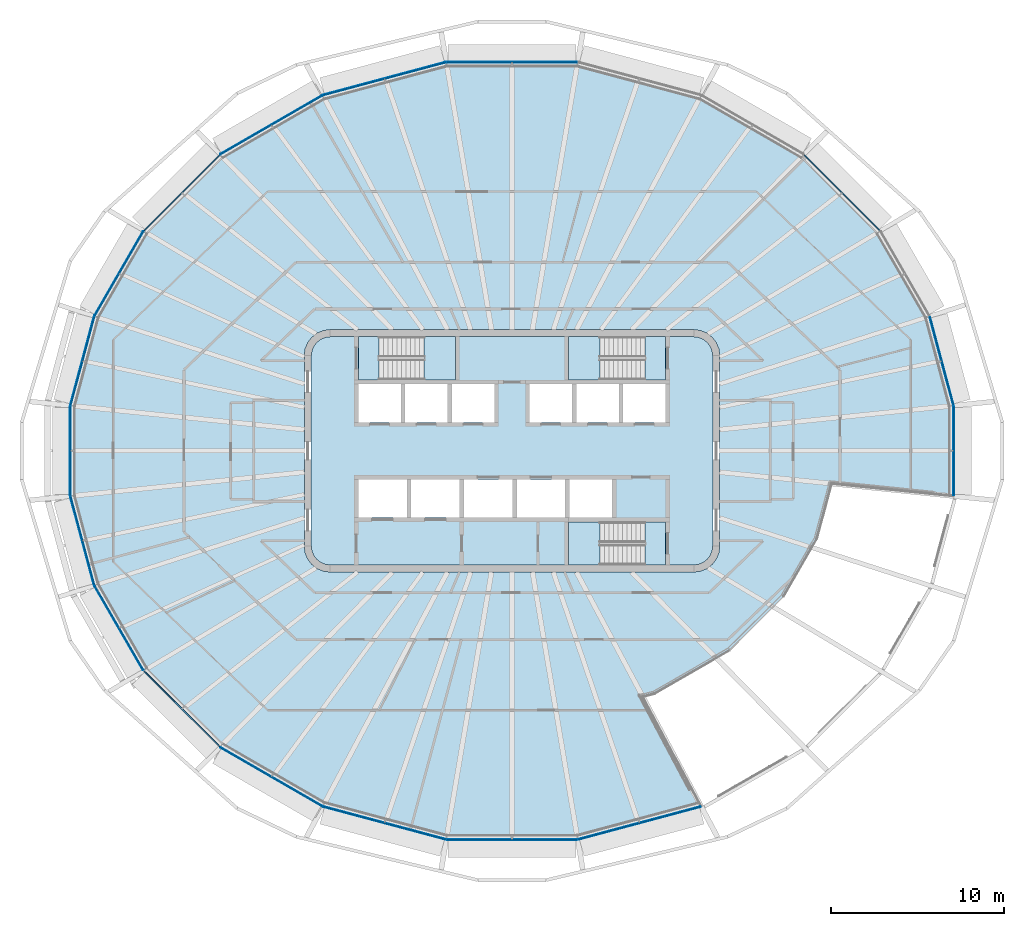
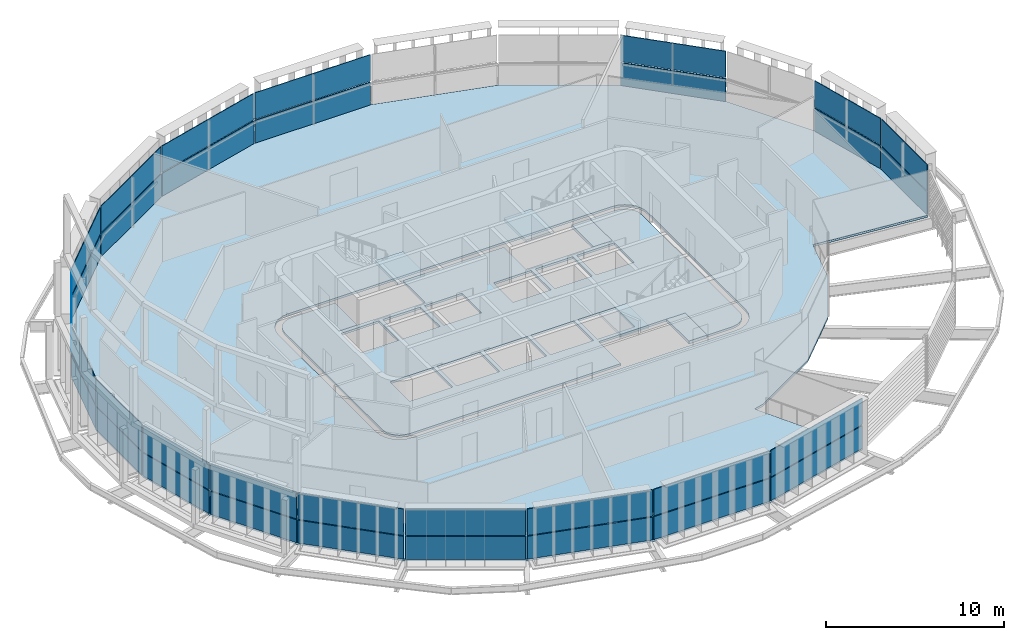
# One storey, part 7 of 18: 34 plates, 8 slabs, 20 elements without a shape of their own.
"""IFC4 building model written with IfcOpenShell, lengths in metres."""

import ifcopenshell
import ifcopenshell.guid

model = None  # the IFC model being written
_history = None  # IfcOwnerHistory: only IFC2X3 demands one
_inside = {}  # id of a spatial element -> (the spatial element, [elements in it])
_under = {}  # id of a project, library or spatial element -> (it, [spatial elements below it])
_declared = {}  # id of a project -> (the project, [libraries it declares])
_typed = {}  # id of a type object -> (the type object, [elements of that type])
_made_of = {}  # id of a material, layer set ... -> (it, [elements and type objects made of it])


def new_model(schema):
    """Start an empty IFC model of exactly this schema.

    Asked for "IFC4X3", IfcOpenShell would pick the latest addendum, in which some entities
    have other attributes; the version numbers below select the first issue.
    IFC2X3 requires an IfcOwnerHistory on every rooted entity: one is made here for all.
    """
    global model, _history
    if schema == "IFC4X3":
        model = ifcopenshell.file(schema_version=(4, 3, 0, 0))
    else:
        model = ifcopenshell.file(schema=schema)
    _inside.clear()
    _under.clear()
    _declared.clear()
    _typed.clear()
    _made_of.clear()
    _history = None
    if model.schema == "IFC2X3":
        org = make("IfcOrganization", Name="unknown")
        user = make(
            "IfcPersonAndOrganization",
            ThePerson=make("IfcPerson", FamilyName="unknown"),
            TheOrganization=org,
        )
        app = make(
            "IfcApplication",
            ApplicationDeveloper=org,
            Version="unknown",
            ApplicationFullName="unknown",
            ApplicationIdentifier="unknown",
        )
        _history = make(
            "IfcOwnerHistory",
            OwningUser=user,
            OwningApplication=app,
            ChangeAction="ADDED",
            CreationDate=0,
        )
    return model


def make(cls, **values):
    """One entity of the class cls with the attributes given. An attribute that is None is left unset."""
    return model.create_entity(
        cls, **{name: value for name, value in values.items() if value is not None}
    )


def rooted(cls, **values):
    """An entity with a GlobalId (a new one), such as an element, a storey or a relation."""
    return make(cls, GlobalId=ifcopenshell.guid.new(), OwnerHistory=_history, **values)


def si_unit(unit_type, name, prefix=None):
    """IfcSIUnit, for example si_unit("LENGTHUNIT", "METRE", prefix="MILLI")."""
    return make("IfcSIUnit", UnitType=unit_type, Prefix=prefix, Name=name)


def assignment(units):
    """IfcUnitAssignment: the units of a project."""
    return None if units is None else make("IfcUnitAssignment", Units=units)


def point(xyz):
    """IfcCartesianPoint."""
    return None if xyz is None else make("IfcCartesianPoint", Coordinates=xyz)


def direction(xyz):
    """IfcDirection."""
    return None if xyz is None else make("IfcDirection", DirectionRatios=xyz)


def frame(location, z_axis=None, x_axis=None):
    """IfcAxis2Placement3D, a coordinate frame: its origin and axes. An axis left out is left unset."""
    return make(
        "IfcAxis2Placement3D",
        Location=point(location),
        Axis=direction(z_axis),
        RefDirection=direction(x_axis),
    )


def origin():
    """The frame at (0, 0, 0) with its axes left unset."""
    return frame((0.0, 0.0, 0.0))


def place(relative_to, where):
    """IfcLocalPlacement: puts the frame where relative to a parent placement (None: the world)."""
    return make(
        "IfcLocalPlacement", PlacementRelTo=relative_to, RelativePlacement=where
    )


def context(
    kind, dimensions, precision=None, world=None, true_north=None, identifier=None
):
    """IfcGeometricRepresentationContext, for example the 3D "Model" context."""
    return make(
        "IfcGeometricRepresentationContext",
        ContextIdentifier=identifier,
        ContextType=kind,
        CoordinateSpaceDimension=dimensions,
        Precision=precision,
        WorldCoordinateSystem=world,
        TrueNorth=true_north,
    )


def subcontext(parent, identifier, kind, view, scale=None):
    """IfcGeometricRepresentationSubContext, for example "Body" below "Model"."""
    return make(
        "IfcGeometricRepresentationSubContext",
        ContextIdentifier=identifier,
        ContextType=kind,
        ParentContext=parent,
        TargetScale=scale,
        TargetView=view,
    )


def project(units=None, contexts=None):
    """IfcProject with its units and contexts."""
    return rooted(
        "IfcProject",
        Name="project",
        RepresentationContexts=contexts,
        UnitsInContext=assignment(units),
    )


def spatial(cls, under=None, at=None, **own):
    """A site, building, storey or space (cls), placed at a placement, below another one or the project."""
    s = rooted(cls, ObjectPlacement=at, **own)
    if under is not None:
        _under.setdefault(under.id(), (under, []))[1].append(s)
    return s


def polyline(points):
    """IfcPolyline through the points."""
    return make("IfcPolyline", Points=[point(p) for p in points])


def outline(outer, holes=None, kind="AREA"):
    """IfcArbitraryClosedProfileDef: a profile drawn as a closed curve; with holes, ...WithVoids."""
    if holes is None:
        return make("IfcArbitraryClosedProfileDef", ProfileType=kind, OuterCurve=outer)
    return make(
        "IfcArbitraryProfileDefWithVoids",
        ProfileType=kind,
        OuterCurve=outer,
        InnerCurves=holes,
    )


def extrude(swept, where, along, depth):
    """IfcExtrudedAreaSolid: the profile swept, set in the frame where, extruded along a direction by depth."""
    return make(
        "IfcExtrudedAreaSolid",
        SweptArea=swept,
        Position=where,
        ExtrudedDirection=direction(along),
        Depth=depth,
    )


def shape(context_of_items, identifier, shape_type, items):
    """IfcShapeRepresentation: the items that make up one representation, for example the "Body"."""
    return make(
        "IfcShapeRepresentation",
        ContextOfItems=context_of_items,
        RepresentationIdentifier=identifier,
        RepresentationType=shape_type,
        Items=items,
    )


def material(Name=None, Category=None):
    """IfcMaterial."""
    return make("IfcMaterial", Name=Name, Category=Category)


def layer(
    of_material, thickness, ventilated=None, Name=None, Category=None, Priority=None
):
    """IfcMaterialLayer: one layer of a wall or slab, of a material (None: an air gap)."""
    return make(
        "IfcMaterialLayer",
        Material=of_material,
        LayerThickness=thickness,
        IsVentilated=ventilated,
        Name=Name,
        Category=Category,
        Priority=Priority,
    )


def layer_set(layers, Name=None):
    """IfcMaterialLayerSet."""
    return make("IfcMaterialLayerSet", MaterialLayers=layers, LayerSetName=Name)


def made_of(thing, what):
    """Note that an element or type object is made of a material, layer set ...; save() writes the relation."""
    if what is not None:
        _made_of.setdefault(what.id(), (what, []))[1].append(thing)
    return thing


def type_object(cls, material=None, **own):
    """A type object (cls), such as IfcWallType, which elements share."""
    return made_of(rooted(cls, **own), material)


def element(
    cls,
    number,
    at=None,
    inside=None,
    cuts=None,
    type_object=None,
    material=None,
    context=None,
    identifier="Body",
    shape_type=None,
    held_by="IfcProductDefinitionShape",
    body=None,
    shapes=None,
    **own,
):
    """One element of the class cls, such as IfcWall. Its Tag is "e" and its number.

    at: its placement. inside: the storey or other place that contains it. cuts: it is an
    opening in that element (IfcRelVoidsElement). A single representation is given by context,
    identifier, shape_type and body (its items); several are given by shapes. held_by: the class
    of the entity that holds the representations. save() writes the other relations.
    """
    e = rooted(cls, Tag="e%d" % number, ObjectPlacement=at, **own)
    if body is not None:
        shapes = [shape(context, identifier, shape_type, body)]
    if shapes is not None:
        e.Representation = make(held_by, Representations=shapes)
    if inside is not None:
        _inside.setdefault(inside.id(), (inside, []))[1].append(e)
    if cuts is not None:
        rooted(
            "IfcRelVoidsElement", RelatingBuildingElement=cuts, RelatedOpeningElement=e
        )
    if type_object is not None:
        _typed.setdefault(type_object.id(), (type_object, []))[1].append(e)
    return made_of(e, material)


def aggregate(whole, parts):
    """IfcRelAggregates: a whole, such as a stair, and the parts it consists of."""
    return rooted("IfcRelAggregates", RelatingObject=whole, RelatedObjects=parts)


def save(model, path):
    """Write the relations noted so far, then the file.

    IfcRelAggregates (storeys below a building ...), IfcRelContainedInSpatialStructure (elements
    in a storey), IfcRelDefinesByType, IfcRelAssociatesMaterial and IfcRelDeclares: one each for
    every whole, place, type object, material and project.
    """
    for whole, parts in _under.values():
        aggregate(whole, parts)
    for where, things in _inside.values():
        rooted(
            "IfcRelContainedInSpatialStructure",
            RelatedElements=things,
            RelatingStructure=where,
        )
    for kind, things in _typed.values():
        rooted("IfcRelDefinesByType", RelatedObjects=things, RelatingType=kind)
    for what, things in _made_of.values():
        rooted("IfcRelAssociatesMaterial", RelatedObjects=things, RelatingMaterial=what)
    for by, libraries in _declared.values():
        rooted("IfcRelDeclares", RelatingContext=by, RelatedDefinitions=libraries)
    model.write(path)


model = new_model("IFC4")

# Units and contexts
model_context = context("Model", 3, precision=1e-05, world=origin(), true_north=direction((0.0, 1.0)))
body_context = subcontext(model_context, "Body", "Model", "MODEL_VIEW")
ifc_project = project(units=[si_unit("LENGTHUNIT", "METRE"), si_unit("AREAUNIT", "SQUARE_METRE"), si_unit("VOLUMEUNIT", "CUBIC_METRE"), si_unit("PLANEANGLEUNIT", "RADIAN"), si_unit("MASSUNIT", "GRAM", prefix="KILO")], contexts=[model_context])

# Site, building, storey
site_placement = place(None, origin())
site = spatial("IfcSite", under=ifc_project, at=site_placement, CompositionType="ELEMENT")
building_placement = place(site_placement, origin())
building = spatial("IfcBuilding", under=site, at=building_placement, Name="Sahrelin Media Tower", CompositionType="ELEMENT")
storey_placement = place(building_placement, frame((0.0, 0.0, 312.39990234375)))
storey = spatial("IfcBuildingStorey", under=building, at=storey_placement, Name="L69", CompositionType="ELEMENT", Elevation=312.39990234375)

# Slabs
ifc_material_1 = material(Name="Concrete C40/50", Category="concrete")
ifc_layer_1 = layer(ifc_material_1, 0.14990234375)
ifc_layer_set_1 = layer_set([ifc_layer_1], Name="Composite floor slab 150")
slab_type_1 = type_object("IfcSlabType", Name="Composite floor slab 150", PredefinedType="FLOOR", material=ifc_layer_set_1)
placement_1 = place(storey_placement, frame((0.0, 0.0, -0.14990234375)))
element("IfcSlab", 1, at=placement_1, inside=storey, type_object=slab_type_1, Name="Floor slab L69", PredefinedType="FLOOR", context=body_context, shape_type="SweptSolid", body=[
    extrude(outline(polyline([(25.49658203125, -2.611083984375), (25.49658203125, -2.610595703125), (25.49658203125, 2.610595703125), (24.114501953125, 7.769287109375), (21.269287109375, 12.697265625), (16.863525390625, 17.10302734375), (10.925048828125, 20.531494140625), (3.794921875, 22.442138671875), (-3.794921875, 22.442138671875), (-10.925048828125, 20.531494140625), (-16.863525390625, 17.10302734375), (-21.269287109375, 12.697265625), (-24.114501953125, 7.769287109375), (-25.49658203125, 2.610595703125), (-25.49658203125, -2.610595703125), (-24.114501953125, -7.769287109375), (-21.269287109375, -12.697265625), (-16.863525390625, -17.10302734375), (-10.925048828125, -20.531494140625), (-3.794921875, -22.442138671875), (3.794921875, -22.442138671875), (10.923095703125, -20.531982421875), (7.558349609375, -14.20751953125), (8.23095703125, -14.027099609375), (12.577880859375, -11.517578125), (15.683837890625, -8.411376953125), (17.610107421875, -5.0751953125), (18.46337890625, -1.890869140625), (25.49658203125, -2.611083984375)]), holes=[polyline([(11.799072265625, 6.25), (11.948974609375, 5.88818359375), (12.0, 5.5), (12.0, -5.5), (11.948974609375, -5.88818359375), (11.799072265625, -6.25), (11.560791015625, -6.560791015625), (11.25, -6.799072265625), (10.88818359375, -6.948974609375), (10.5, -7.0), (-10.5, -7.0), (-10.88818359375, -6.948974609375), (-11.25, -6.799072265625), (-11.560791015625, -6.560791015625), (-11.799072265625, -6.25), (-11.948974609375, -5.88818359375), (-12.0, -5.5), (-12.0, 5.5), (-11.948974609375, 5.88818359375), (-11.799072265625, 6.25), (-11.560791015625, 6.560791015625), (-11.25, 6.799072265625), (-10.88818359375, 6.948974609375), (-10.5, 7.0), (10.5, 7.0), (10.88818359375, 6.948974609375), (11.25, 6.799072265625), (11.560791015625, 6.560791015625), (11.799072265625, 6.25)])]), origin(), (0.0, 0.0, 1.0), 0.14990234375),
])
ifc_layer_2 = layer(ifc_material_1, 0.14990234375)
ifc_layer_set_2 = layer_set([ifc_layer_2], Name="Core floor slab 150")
slab_type_2 = type_object("IfcSlabType", Name="Core floor slab 150", PredefinedType="FLOOR", material=ifc_layer_set_2)
element("IfcSlab", 2, at=placement_1, inside=storey, type_object=slab_type_2, Name="Core floor", PredefinedType="FLOOR", context=body_context, shape_type="SweptSolid", body=[
    extrude(outline(polyline([(-11.60009765625, -5.473876953125), (-11.55908203125, -5.78369140625), (-11.44970703125, -6.04833984375), (-11.275390625, -6.275390625), (-11.04833984375, -6.44970703125), (-10.78369140625, -6.55908203125), (-10.473876953125, -6.60009765625), (3.27490234375, -6.60009765625), (3.27490234375, -4.10009765625), (8.875, -4.10009765625), (8.875, -6.60009765625), (10.473876953125, -6.60009765625), (10.78369140625, -6.55908203125), (11.04833984375, -6.44970703125), (11.275390625, -6.275390625), (11.44970703125, -6.04833984375), (11.55908203125, -5.78369140625), (11.60009765625, -5.473876953125), (11.60009765625, 5.473876953125), (11.55908203125, 5.78369140625), (11.44970703125, 6.04833984375), (11.275390625, 6.275390625), (11.04833984375, 6.44970703125), (10.78369140625, 6.55908203125), (10.473876953125, 6.60009765625), (8.875, 6.60009765625), (8.875, 4.10009765625), (3.27490234375, 4.10009765625), (3.27490234375, 6.60009765625), (-3.27490234375, 6.60009765625), (-3.27490234375, 4.10009765625), (-8.875, 4.10009765625), (-8.875, 6.60009765625), (-10.473876953125, 6.60009765625), (-10.78369140625, 6.55908203125), (-11.04833984375, 6.44970703125), (-11.275390625, 6.275390625), (-11.44970703125, 6.04833984375), (-11.55908203125, 5.78369140625), (-11.60009765625, 5.473876953125), (-11.60009765625, -5.473876953125)]), holes=[polyline([(-8.875, 3.85009765625), (-8.875, 1.64990234375), (-6.425048828125, 1.64990234375), (-6.425048828125, 3.85009765625), (-8.875, 3.85009765625)]), polyline([(-3.72509765625, 3.85009765625), (-6.175048828125, 3.85009765625), (-6.175048828125, 1.64990234375), (-3.72509765625, 1.64990234375), (-3.72509765625, 3.85009765625)]), polyline([(-1.02490234375, 1.64990234375), (-1.02490234375, 3.85009765625), (-3.47509765625, 3.85009765625), (-3.47509765625, 1.64990234375), (-1.02490234375, 1.64990234375)]), polyline([(1.02490234375, 1.64990234375), (3.47509765625, 1.64990234375), (3.47509765625, 3.85009765625), (1.02490234375, 3.85009765625), (1.02490234375, 1.64990234375)]), polyline([(3.72509765625, 3.85009765625), (3.72509765625, 1.64990234375), (6.175048828125, 1.64990234375), (6.175048828125, 3.85009765625), (3.72509765625, 3.85009765625)]), polyline([(8.875, 3.85009765625), (6.425048828125, 3.85009765625), (6.425048828125, 1.64990234375), (8.875, 1.64990234375), (8.875, 3.85009765625)]), polyline([(-6.074951171875, -3.85009765625), (-6.074951171875, -1.64990234375), (-8.875, -1.64990234375), (-8.875, -3.85009765625), (-6.074951171875, -3.85009765625)]), polyline([(-5.824951171875, -3.85009765625), (-3.02490234375, -3.85009765625), (-3.02490234375, -1.64990234375), (-5.824951171875, -1.64990234375), (-5.824951171875, -3.85009765625)]), polyline([(-2.77490234375, -1.64990234375), (-2.77490234375, -3.85009765625), (0.02490234375, -3.85009765625), (0.02490234375, -1.64990234375), (-2.77490234375, -1.64990234375)]), polyline([(3.074951171875, -1.64990234375), (0.27490234375, -1.64990234375), (0.27490234375, -3.85009765625), (3.074951171875, -3.85009765625), (3.074951171875, -1.64990234375)]), polyline([(5.77490234375, -3.85009765625), (5.77490234375, -1.64990234375), (3.324951171875, -1.64990234375), (3.324951171875, -3.85009765625), (5.77490234375, -3.85009765625)])]), origin(), (0.0, 0.0, 1.0), 0.14990234375),
])

# Curtain wall, plate
ifc_material_2 = material(Name="Champagne anodised aluminium 6063-T6", Category="aluminium")
ifc_layer_3 = layer(ifc_material_2, 0.14990234375)
ifc_layer_set_3 = layer_set([ifc_layer_3], Name="Tower ribbon curtain wall")
curtain_wall_type = type_object("IfcCurtainWallType", Name="Tower ribbon curtain wall", PredefinedType="NOTDEFINED", material=ifc_layer_set_3)
curtain_wall_1_placement = place(storey_placement, frame((25.5166015625, 0.0, 0.0), z_axis=(0.0, 0.0, 1.0), x_axis=(1.0, 0.0, 0.0)))
curtain_wall_1 = element("IfcCurtainWall", 3, at=curtain_wall_1_placement, inside=storey, type_object=curtain_wall_type, Name="L69:CW:L69-00", PredefinedType="NOTDEFINED")
ifc_material_3 = material(Name="Clear low-iron glazing", Category="glass")
ifc_layer_4 = layer(ifc_material_3, 0.048095703125)
ifc_layer_set_4 = layer_set([ifc_layer_4], Name="Glazing panel 48 mm CW1C")
plate_type_1 = type_object("IfcPlateType", Name="Glazing panel 48 mm CW1C", PredefinedType="CURTAIN_PANEL", material=ifc_layer_set_4)
plate_1_placement = place(storey_placement, frame((25.53662109375, -2.563232421875, 1.630126953125), z_axis=(1.0, 0.0, 0.0), x_axis=(0.0, 1.0, 0.0)))
plate_1 = element("IfcPlate", 4, at=plate_1_placement, type_object=plate_type_1, Name="L69:CWP2:L69-00", PredefinedType="CURTAIN_PANEL", context=body_context, shape_type="SweptSolid", body=[
    extrude(outline(polyline([(0.0, 0.0), (5.12646484375, 0.0), (5.12646484375, 1.818603515625), (0.0, 1.818603515625), (0.0, 0.0)])), origin(), (0.0, 0.0, -1.0), 0.048095703125),
])

curtain_wall_2_placement = place(storey_placement, frame((24.824951171875, 5.195068359375, 0.0), z_axis=(0.0, 0.0, 1.0), x_axis=(1.0, 0.0, 0.0)))
curtain_wall_2 = element("IfcCurtainWall", 5, at=curtain_wall_2_placement, inside=storey, type_object=curtain_wall_type, Name="L69:CW:L69-01", PredefinedType="NOTDEFINED")
plate_2_placement = place(storey_placement, frame((25.523193359375, 2.666748046875, 1.630126953125), z_axis=(0.965917512628, 0.258850070115, 0.0), x_axis=(-0.258850070115, 0.965917512628, 0.0)))
plate_2 = element("IfcPlate", 6, at=plate_2_placement, type_object=plate_type_1, Name="L69:CWP2:L69-01", PredefinedType="CURTAIN_PANEL", context=body_context, shape_type="SweptSolid", body=[
    extrude(outline(polyline([(0.0, 0.0), (5.245849609375, 0.0), (5.245849609375, 1.818603515625), (0.0, 1.818603515625), (0.0, 0.0)])), origin(), (0.0, 0.0, -1.0), 0.048095703125),
])

curtain_wall_3_placement = place(storey_placement, frame((19.08056640625, 14.914306640625, 0.0), z_axis=(0.0, 0.0, 1.0), x_axis=(1.0, 0.0, 0.0)))
curtain_wall_3 = element("IfcCurtainWall", 7, at=curtain_wall_3_placement, inside=storey, type_object=curtain_wall_type, Name="L69:CW:L69-03", PredefinedType="NOTDEFINED")
plate_3_placement = place(storey_placement, frame((21.26416015625, 12.759033203125, 1.630126953125), z_axis=(0.707106781187, 0.707106781187, 0.0), x_axis=(-0.707106781187, 0.707106781187, 0.0)))
plate_3 = element("IfcPlate", 8, at=plate_3_placement, type_object=plate_type_1, Name="L69:CWP2:L69-03", PredefinedType="CURTAIN_PANEL", context=body_context, shape_type="SweptSolid", body=[
    extrude(outline(polyline([(0.0, 0.0), (6.135986328125, 0.0), (6.135986328125, 1.818603515625), (0.0, 1.818603515625), (0.0, 0.0)])), origin(), (0.0, 0.0, -1.0), 0.048095703125),
])

curtain_wall_4_placement = place(storey_placement, frame((0.0, 22.462158203125, 0.0), z_axis=(0.0, 0.0, 1.0), x_axis=(1.0, 0.0, 0.0)))
curtain_wall_4 = element("IfcCurtainWall", 9, at=curtain_wall_4_placement, inside=storey, type_object=curtain_wall_type, Name="L69:CW:L69-06", PredefinedType="NOTDEFINED")
plate_4_placement = place(storey_placement, frame((3.74755859375, 22.482177734375, 1.630126953125), z_axis=(0.0, 1.0, 0.0), x_axis=(-1.0, 0.0, 0.0)))
plate_4 = element("IfcPlate", 10, at=plate_4_placement, type_object=plate_type_1, Name="L69:CWP2:L69-06", PredefinedType="CURTAIN_PANEL", context=body_context, shape_type="SweptSolid", body=[
    extrude(outline(polyline([(0.0, 0.0), (7.4951171875, 0.0), (7.4951171875, 1.818603515625), (0.0, 1.818603515625), (0.0, 0.0)])), origin(), (0.0, 0.0, -1.0), 0.048095703125),
])

curtain_wall_5_placement = place(storey_placement, frame((-7.364990234375, 21.506103515625, 0.0), z_axis=(0.0, 0.0, 1.0), x_axis=(1.0, 0.0, 0.0)))
curtain_wall_5 = element("IfcCurtainWall", 11, at=curtain_wall_5_placement, inside=storey, type_object=curtain_wall_type, Name="L69:CW:L69-07", PredefinedType="NOTDEFINED")
plate_5_placement = place(storey_placement, frame((-3.85107421875, 22.468505859375, 1.630126953125), z_axis=(-0.25881981979, 0.965925618712, 0.0), x_axis=(-0.965925618712, -0.25881981979, 0.0)))
plate_5 = element("IfcPlate", 12, at=plate_5_placement, type_object=plate_type_1, Name="L69:CWP2:L69-07", PredefinedType="CURTAIN_PANEL", context=body_context, shape_type="SweptSolid", body=[
    extrude(outline(polyline([(0.0, 0.0), (7.286865234375, 0.0), (7.286865234375, 1.818603515625), (0.0, 1.818603515625), (0.0, 0.0)])), origin(), (0.0, 0.0, -1.0), 0.048095703125),
])

curtain_wall_6_placement = place(storey_placement, frame((-13.904296875, 18.834716796875, 0.0), z_axis=(0.0, 0.0, 1.0), x_axis=(1.0, 0.0, 0.0)))
curtain_wall_6 = element("IfcCurtainWall", 13, at=curtain_wall_6_placement, inside=storey, type_object=curtain_wall_type, Name="L69:CW:L69-08", PredefinedType="NOTDEFINED")
plate_6_placement = place(storey_placement, frame((-10.986083984375, 20.54248046875, 1.630126953125), z_axis=(-0.499987050139, 0.866032880261, 0.0), x_axis=(-0.866032880261, -0.499987050139, 0.0)))
plate_6 = element("IfcPlate", 14, at=plate_6_placement, type_object=plate_type_1, Name="L69:CWP2:L69-08", PredefinedType="CURTAIN_PANEL", context=body_context, shape_type="SweptSolid", body=[
    extrude(outline(polyline([(0.0, 0.0), (6.762451171875, 0.0), (6.762451171875, 1.818603515625), (0.0, 1.818603515625), (0.0, 0.0)])), origin(), (0.0, 0.0, -1.0), 0.048095703125),
])

curtain_wall_7_placement = place(storey_placement, frame((-19.08056640625, 14.914306640625, 0.0), z_axis=(0.0, 0.0, 1.0), x_axis=(1.0, 0.0, 0.0)))
curtain_wall_7 = element("IfcCurtainWall", 15, at=curtain_wall_7_placement, inside=storey, type_object=curtain_wall_type, Name="L69:CW:L69-09", PredefinedType="NOTDEFINED")
plate_7_placement = place(storey_placement, frame((-16.92529296875, 17.097900390625, 1.630126953125), z_axis=(-0.707106781187, 0.707106781187, 0.0), x_axis=(-0.707106781187, -0.707106781187, 0.0)))
plate_7 = element("IfcPlate", 16, at=plate_7_placement, type_object=plate_type_1, Name="L69:CWP2:L69-09", PredefinedType="CURTAIN_PANEL", context=body_context, shape_type="SweptSolid", body=[
    extrude(outline(polyline([(0.0, 0.0), (6.135986328125, 0.0), (6.135986328125, 1.818603515625), (0.0, 1.818603515625), (0.0, 0.0)])), origin(), (0.0, 0.0, -1.0), 0.048095703125),
])

curtain_wall_8_placement = place(storey_placement, frame((-22.709228515625, 10.2431640625, 0.0), z_axis=(0.0, 0.0, 1.0), x_axis=(1.0, 0.0, 0.0)))
curtain_wall_8 = element("IfcCurtainWall", 17, at=curtain_wall_8_placement, inside=storey, type_object=curtain_wall_type, Name="L69:CW:L69-10", PredefinedType="NOTDEFINED")
plate_8_placement = place(storey_placement, frame((-21.32763671875, 12.67626953125, 1.630126953125), z_axis=(-0.866022106883, 0.500005710357, 0.0), x_axis=(-0.500005710357, -0.866022106883, 0.0)))
plate_8 = element("IfcPlate", 18, at=plate_8_placement, type_object=plate_type_1, Name="L69:CWP2:L69-10", PredefinedType="CURTAIN_PANEL", context=body_context, shape_type="SweptSolid", body=[
    extrude(outline(polyline([(0.0, 0.0), (5.595703125, 0.0), (5.595703125, 1.818603515625), (0.0, 1.818603515625), (0.0, 0.0)])), origin(), (0.0, 0.0, -1.0), 0.048095703125),
])

curtain_wall_9_placement = place(storey_placement, frame((-24.824951171875, 5.195068359375, 0.0), z_axis=(0.0, 0.0, 1.0), x_axis=(1.0, 0.0, 0.0)))
curtain_wall_9 = element("IfcCurtainWall", 19, at=curtain_wall_9_placement, inside=storey, type_object=curtain_wall_type, Name="L69:CW:L69-11", PredefinedType="NOTDEFINED")
plate_9_placement = place(storey_placement, frame((-24.165283203125, 7.73388671875, 1.630126953125), z_axis=(-0.965917512628, 0.258850070115, 0.0), x_axis=(-0.258850070115, -0.965917512628, 0.0)))
plate_9 = element("IfcPlate", 20, at=plate_9_placement, type_object=plate_type_1, Name="L69:CWP2:L69-11", PredefinedType="CURTAIN_PANEL", context=body_context, shape_type="SweptSolid", body=[
    extrude(outline(polyline([(0.0, 0.0), (5.245849609375, 0.0), (5.245849609375, 1.818603515625), (0.0, 1.818603515625), (0.0, 0.0)])), origin(), (0.0, 0.0, -1.0), 0.048095703125),
])

curtain_wall_10_placement = place(storey_placement, frame((-25.5166015625, 0.0, 0.0), z_axis=(0.0, 0.0, 1.0), x_axis=(1.0, 0.0, 0.0)))
curtain_wall_10 = element("IfcCurtainWall", 21, at=curtain_wall_10_placement, inside=storey, type_object=curtain_wall_type, Name="L69:CW:L69-12", PredefinedType="NOTDEFINED")
plate_10_placement = place(storey_placement, frame((-25.53662109375, 2.563232421875, 1.630126953125), z_axis=(-1.0, 0.0, 0.0), x_axis=(0.0, -1.0, 0.0)))
plate_10 = element("IfcPlate", 22, at=plate_10_placement, type_object=plate_type_1, Name="L69:CWP2:L69-12", PredefinedType="CURTAIN_PANEL", context=body_context, shape_type="SweptSolid", body=[
    extrude(outline(polyline([(0.0, 0.0), (5.12646484375, 0.0), (5.12646484375, 1.818603515625), (0.0, 1.818603515625), (0.0, 0.0)])), origin(), (0.0, 0.0, -1.0), 0.048095703125),
])

curtain_wall_11_placement = place(storey_placement, frame((-24.824951171875, -5.195068359375, 0.0), z_axis=(0.0, 0.0, 1.0), x_axis=(1.0, 0.0, 0.0)))
curtain_wall_11 = element("IfcCurtainWall", 23, at=curtain_wall_11_placement, inside=storey, type_object=curtain_wall_type, Name="L69:CW:L69-13", PredefinedType="NOTDEFINED")
plate_11_placement = place(storey_placement, frame((-25.523193359375, -2.666748046875, 1.630126953125), z_axis=(-0.965917512628, -0.258850070115, 0.0), x_axis=(0.258850070115, -0.965917512628, 0.0)))
plate_11 = element("IfcPlate", 24, at=plate_11_placement, type_object=plate_type_1, Name="L69:CWP2:L69-13", PredefinedType="CURTAIN_PANEL", context=body_context, shape_type="SweptSolid", body=[
    extrude(outline(polyline([(0.0, 0.0), (5.245849609375, 0.0), (5.245849609375, 1.818603515625), (0.0, 1.818603515625), (0.0, 0.0)])), origin(), (0.0, 0.0, -1.0), 0.048095703125),
])

curtain_wall_12_placement = place(storey_placement, frame((-22.709228515625, -10.2431640625, 0.0), z_axis=(0.0, 0.0, 1.0), x_axis=(1.0, 0.0, 0.0)))
curtain_wall_12 = element("IfcCurtainWall", 25, at=curtain_wall_12_placement, inside=storey, type_object=curtain_wall_type, Name="L69:CW:L69-14", PredefinedType="NOTDEFINED")
plate_12_placement = place(storey_placement, frame((-24.12548828125, -7.830322265625, 1.630126953125), z_axis=(-0.866022106883, -0.500005710357, 0.0), x_axis=(0.500005710357, -0.866022106883, 0.0)))
plate_12 = element("IfcPlate", 26, at=plate_12_placement, type_object=plate_type_1, Name="L69:CWP2:L69-14", PredefinedType="CURTAIN_PANEL", context=body_context, shape_type="SweptSolid", body=[
    extrude(outline(polyline([(0.0, 0.0), (5.595703125, 0.0), (5.595703125, 1.818603515625), (0.0, 1.818603515625), (0.0, 0.0)])), origin(), (0.0, 0.0, -1.0), 0.048095703125),
])

curtain_wall_13_placement = place(storey_placement, frame((-19.08056640625, -14.914306640625, 0.0), z_axis=(0.0, 0.0, 1.0), x_axis=(1.0, 0.0, 0.0)))
curtain_wall_13 = element("IfcCurtainWall", 27, at=curtain_wall_13_placement, inside=storey, type_object=curtain_wall_type, Name="L69:CW:L69-15", PredefinedType="NOTDEFINED")
plate_13_placement = place(storey_placement, frame((-21.26416015625, -12.759033203125, 1.630126953125), z_axis=(-0.707106781187, -0.707106781187, 0.0), x_axis=(0.707106781187, -0.707106781187, 0.0)))
plate_13 = element("IfcPlate", 28, at=plate_13_placement, type_object=plate_type_1, Name="L69:CWP2:L69-15", PredefinedType="CURTAIN_PANEL", context=body_context, shape_type="SweptSolid", body=[
    extrude(outline(polyline([(0.0, 0.0), (6.135986328125, 0.0), (6.135986328125, 1.818603515625), (0.0, 1.818603515625), (0.0, 0.0)])), origin(), (0.0, 0.0, -1.0), 0.048095703125),
])

curtain_wall_14_placement = place(storey_placement, frame((-13.904296875, -18.834716796875, 0.0), z_axis=(0.0, 0.0, 1.0), x_axis=(1.0, 0.0, 0.0)))
curtain_wall_14 = element("IfcCurtainWall", 29, at=curtain_wall_14_placement, inside=storey, type_object=curtain_wall_type, Name="L69:CW:L69-16", PredefinedType="NOTDEFINED")
plate_14_placement = place(storey_placement, frame((-16.842529296875, -17.161376953125, 1.630126953125), z_axis=(-0.499987050139, -0.866032880261, 0.0), x_axis=(0.866032880261, -0.499987050139, 0.0)))
plate_14 = element("IfcPlate", 30, at=plate_14_placement, type_object=plate_type_1, Name="L69:CWP2:L69-16", PredefinedType="CURTAIN_PANEL", context=body_context, shape_type="SweptSolid", body=[
    extrude(outline(polyline([(0.0, 0.0), (6.762451171875, 0.0), (6.762451171875, 1.818603515625), (0.0, 1.818603515625), (0.0, 0.0)])), origin(), (0.0, 0.0, -1.0), 0.048095703125),
])

curtain_wall_15_placement = place(storey_placement, frame((-7.365234375, -21.506103515625, 0.0), z_axis=(0.0, 0.0, 1.0), x_axis=(1.0, 0.0, 0.0)))
curtain_wall_15 = element("IfcCurtainWall", 31, at=curtain_wall_15_placement, inside=storey, type_object=curtain_wall_type, Name="L69:CW:L69-17", PredefinedType="NOTDEFINED")
plate_15_placement = place(storey_placement, frame((-10.8896484375, -20.58251953125, 1.630126953125), z_axis=(-0.25881981979, -0.965925618712, 0.0), x_axis=(0.965925618712, -0.25881981979, 0.0)))
plate_15 = element("IfcPlate", 32, at=plate_15_placement, type_object=plate_type_1, Name="L69:CWP2:L69-17", PredefinedType="CURTAIN_PANEL", context=body_context, shape_type="SweptSolid", body=[
    extrude(outline(polyline([(0.0, 0.0), (7.286865234375, 0.0), (7.286865234375, 1.818603515625), (0.0, 1.818603515625), (0.0, 0.0)])), origin(), (0.0, 0.0, -1.0), 0.048095703125),
])

curtain_wall_16_placement = place(storey_placement, frame((0.0, -22.462158203125, 0.0), z_axis=(0.0, 0.0, 1.0), x_axis=(1.0, 0.0, 0.0)))
curtain_wall_16 = element("IfcCurtainWall", 33, at=curtain_wall_16_placement, inside=storey, type_object=curtain_wall_type, Name="L69:CW:L69-18", PredefinedType="NOTDEFINED")
plate_16_placement = place(storey_placement, frame((-3.74755859375, -22.482177734375, 1.630126953125), z_axis=(0.0, -1.0, 0.0), x_axis=(1.0, 0.0, 0.0)))
plate_16 = element("IfcPlate", 34, at=plate_16_placement, type_object=plate_type_1, Name="L69:CWP2:L69-18", PredefinedType="CURTAIN_PANEL", context=body_context, shape_type="SweptSolid", body=[
    extrude(outline(polyline([(0.0, 0.0), (7.4951171875, 0.0), (7.4951171875, 1.818603515625), (0.0, 1.818603515625), (0.0, 0.0)])), origin(), (0.0, 0.0, -1.0), 0.048095703125),
])

curtain_wall_17_placement = place(storey_placement, frame((7.364990234375, -21.506103515625, 0.0), z_axis=(0.0, 0.0, 1.0), x_axis=(1.0, 0.0, 0.0)))
curtain_wall_17 = element("IfcCurtainWall", 35, at=curtain_wall_17_placement, inside=storey, type_object=curtain_wall_type, Name="L69:CW:L69-19", PredefinedType="NOTDEFINED")
plate_17_placement = place(storey_placement, frame((3.85107421875, -22.468505859375, 1.630126953125), z_axis=(0.25881981979, -0.965925618712, 0.0), x_axis=(0.965925618712, 0.25881981979, 0.0)))
plate_17 = element("IfcPlate", 36, at=plate_17_placement, type_object=plate_type_1, Name="L69:CWP2:L69-19", PredefinedType="CURTAIN_PANEL", context=body_context, shape_type="SweptSolid", body=[
    extrude(outline(polyline([(0.0, 0.0), (7.286865234375, 0.0), (7.286865234375, 1.818603515625), (0.0, 1.818603515625), (0.0, 0.0)])), origin(), (0.0, 0.0, -1.0), 0.048095703125),
])

# Plate
ifc_material_4 = material(Name="Insulated spandrel panel")
ifc_layer_5 = layer(ifc_material_4, 0.06005859375)
ifc_layer_set_5 = layer_set([ifc_layer_5], Name="Spandrel panel 60 mm CW1")
plate_type_2 = type_object("IfcPlateType", Name="Spandrel panel 60 mm CW1", PredefinedType="SHEET", material=ifc_layer_set_5)
plate_18_placement = place(storey_placement, frame((25.53662109375, -2.563232421875, 0.0), z_axis=(1.0, 0.0, 0.0), x_axis=(0.0, 1.0, 0.0)))
plate_18 = element("IfcPlate", 37, at=plate_18_placement, type_object=plate_type_2, Name="L69:CWP1:L69-00", PredefinedType="SHEET", context=body_context, shape_type="SweptSolid", body=[
    extrude(outline(polyline([(0.0, 0.0), (5.12646484375, 0.0), (5.12646484375, 1.570068359375), (0.0, 1.570068359375), (0.0, 0.0)])), origin(), (0.0, 0.0, -1.0), 0.06005859375),
])

aggregate(curtain_wall_1, [plate_18, plate_1])

plate_19_placement = place(storey_placement, frame((25.523193359375, 2.666748046875, 0.0), z_axis=(0.965917512628, 0.258850070115, 0.0), x_axis=(-0.258850070115, 0.965917512628, 0.0)))
plate_19 = element("IfcPlate", 38, at=plate_19_placement, type_object=plate_type_2, Name="L69:CWP1:L69-01", PredefinedType="SHEET", context=body_context, shape_type="SweptSolid", body=[
    extrude(outline(polyline([(0.0, 0.0), (5.245849609375, 0.0), (5.245849609375, 1.570068359375), (0.0, 1.570068359375), (0.0, 0.0)])), origin(), (0.0, 0.0, -1.0), 0.06005859375),
])

aggregate(curtain_wall_2, [plate_19, plate_2])

plate_20_placement = place(storey_placement, frame((21.26416015625, 12.759033203125, 0.0), z_axis=(0.707106781187, 0.707106781187, 0.0), x_axis=(-0.707106781187, 0.707106781187, 0.0)))
plate_20 = element("IfcPlate", 39, at=plate_20_placement, type_object=plate_type_2, Name="L69:CWP1:L69-03", PredefinedType="SHEET", context=body_context, shape_type="SweptSolid", body=[
    extrude(outline(polyline([(0.0, 0.0), (6.135986328125, 0.0), (6.135986328125, 1.570068359375), (0.0, 1.570068359375), (0.0, 0.0)])), origin(), (0.0, 0.0, -1.0), 0.06005859375),
])

aggregate(curtain_wall_3, [plate_20, plate_3])

plate_21_placement = place(storey_placement, frame((3.74755859375, 22.482177734375, 0.0), z_axis=(0.0, 1.0, 0.0), x_axis=(-1.0, 0.0, 0.0)))
plate_21 = element("IfcPlate", 40, at=plate_21_placement, type_object=plate_type_2, Name="L69:CWP1:L69-06", PredefinedType="SHEET", context=body_context, shape_type="SweptSolid", body=[
    extrude(outline(polyline([(0.0, 0.0), (7.4951171875, 0.0), (7.4951171875, 1.570068359375), (0.0, 1.570068359375), (0.0, 0.0)])), origin(), (0.0, 0.0, -1.0), 0.06005859375),
])

aggregate(curtain_wall_4, [plate_21, plate_4])

plate_22_placement = place(storey_placement, frame((-3.85107421875, 22.468505859375, 0.0), z_axis=(-0.25881981979, 0.965925618712, 0.0), x_axis=(-0.965925618712, -0.25881981979, 0.0)))
plate_22 = element("IfcPlate", 41, at=plate_22_placement, type_object=plate_type_2, Name="L69:CWP1:L69-07", PredefinedType="SHEET", context=body_context, shape_type="SweptSolid", body=[
    extrude(outline(polyline([(0.0, 0.0), (7.286865234375, 0.0), (7.286865234375, 1.570068359375), (0.0, 1.570068359375), (0.0, 0.0)])), origin(), (0.0, 0.0, -1.0), 0.06005859375),
])

aggregate(curtain_wall_5, [plate_22, plate_5])

plate_23_placement = place(storey_placement, frame((-10.986083984375, 20.54248046875, 0.0), z_axis=(-0.499987050139, 0.866032880261, 0.0), x_axis=(-0.866032880261, -0.499987050139, 0.0)))
plate_23 = element("IfcPlate", 42, at=plate_23_placement, type_object=plate_type_2, Name="L69:CWP1:L69-08", PredefinedType="SHEET", context=body_context, shape_type="SweptSolid", body=[
    extrude(outline(polyline([(0.0, 0.0), (6.762451171875, 0.0), (6.762451171875, 1.570068359375), (0.0, 1.570068359375), (0.0, 0.0)])), origin(), (0.0, 0.0, -1.0), 0.06005859375),
])

aggregate(curtain_wall_6, [plate_23, plate_6])

plate_24_placement = place(storey_placement, frame((-16.92529296875, 17.097900390625, 0.0), z_axis=(-0.707106781187, 0.707106781187, 0.0), x_axis=(-0.707106781187, -0.707106781187, 0.0)))
plate_24 = element("IfcPlate", 43, at=plate_24_placement, type_object=plate_type_2, Name="L69:CWP1:L69-09", PredefinedType="SHEET", context=body_context, shape_type="SweptSolid", body=[
    extrude(outline(polyline([(0.0, 0.0), (6.135986328125, 0.0), (6.135986328125, 1.570068359375), (0.0, 1.570068359375), (0.0, 0.0)])), origin(), (0.0, 0.0, -1.0), 0.06005859375),
])

aggregate(curtain_wall_7, [plate_24, plate_7])

plate_25_placement = place(storey_placement, frame((-21.32763671875, 12.67626953125, 0.0), z_axis=(-0.866022106883, 0.500005710357, 0.0), x_axis=(-0.500005710357, -0.866022106883, 0.0)))
plate_25 = element("IfcPlate", 44, at=plate_25_placement, type_object=plate_type_2, Name="L69:CWP1:L69-10", PredefinedType="SHEET", context=body_context, shape_type="SweptSolid", body=[
    extrude(outline(polyline([(0.0, 0.0), (5.595703125, 0.0), (5.595703125, 1.570068359375), (0.0, 1.570068359375), (0.0, 0.0)])), origin(), (0.0, 0.0, -1.0), 0.06005859375),
])

aggregate(curtain_wall_8, [plate_25, plate_8])

plate_26_placement = place(storey_placement, frame((-24.165283203125, 7.73388671875, 0.0), z_axis=(-0.965917512628, 0.258850070115, 0.0), x_axis=(-0.258850070115, -0.965917512628, 0.0)))
plate_26 = element("IfcPlate", 45, at=plate_26_placement, type_object=plate_type_2, Name="L69:CWP1:L69-11", PredefinedType="SHEET", context=body_context, shape_type="SweptSolid", body=[
    extrude(outline(polyline([(0.0, 0.0), (5.245849609375, 0.0), (5.245849609375, 1.570068359375), (0.0, 1.570068359375), (0.0, 0.0)])), origin(), (0.0, 0.0, -1.0), 0.06005859375),
])

aggregate(curtain_wall_9, [plate_26, plate_9])

plate_27_placement = place(storey_placement, frame((-25.53662109375, 2.563232421875, 0.0), z_axis=(-1.0, 0.0, 0.0), x_axis=(0.0, -1.0, 0.0)))
plate_27 = element("IfcPlate", 46, at=plate_27_placement, type_object=plate_type_2, Name="L69:CWP1:L69-12", PredefinedType="SHEET", context=body_context, shape_type="SweptSolid", body=[
    extrude(outline(polyline([(0.0, 0.0), (5.12646484375, 0.0), (5.12646484375, 1.570068359375), (0.0, 1.570068359375), (0.0, 0.0)])), origin(), (0.0, 0.0, -1.0), 0.06005859375),
])

aggregate(curtain_wall_10, [plate_27, plate_10])

plate_28_placement = place(storey_placement, frame((-25.523193359375, -2.666748046875, 0.0), z_axis=(-0.965917512628, -0.258850070115, 0.0), x_axis=(0.258850070115, -0.965917512628, 0.0)))
plate_28 = element("IfcPlate", 47, at=plate_28_placement, type_object=plate_type_2, Name="L69:CWP1:L69-13", PredefinedType="SHEET", context=body_context, shape_type="SweptSolid", body=[
    extrude(outline(polyline([(0.0, 0.0), (5.245849609375, 0.0), (5.245849609375, 1.570068359375), (0.0, 1.570068359375), (0.0, 0.0)])), origin(), (0.0, 0.0, -1.0), 0.06005859375),
])

aggregate(curtain_wall_11, [plate_28, plate_11])

plate_29_placement = place(storey_placement, frame((-24.12548828125, -7.830322265625, 0.0), z_axis=(-0.866022106883, -0.500005710357, 0.0), x_axis=(0.500005710357, -0.866022106883, 0.0)))
plate_29 = element("IfcPlate", 48, at=plate_29_placement, type_object=plate_type_2, Name="L69:CWP1:L69-14", PredefinedType="SHEET", context=body_context, shape_type="SweptSolid", body=[
    extrude(outline(polyline([(0.0, 0.0), (5.595703125, 0.0), (5.595703125, 1.570068359375), (0.0, 1.570068359375), (0.0, 0.0)])), origin(), (0.0, 0.0, -1.0), 0.06005859375),
])

aggregate(curtain_wall_12, [plate_29, plate_12])

plate_30_placement = place(storey_placement, frame((-21.26416015625, -12.759033203125, 0.0), z_axis=(-0.707106781187, -0.707106781187, 0.0), x_axis=(0.707106781187, -0.707106781187, 0.0)))
plate_30 = element("IfcPlate", 49, at=plate_30_placement, type_object=plate_type_2, Name="L69:CWP1:L69-15", PredefinedType="SHEET", context=body_context, shape_type="SweptSolid", body=[
    extrude(outline(polyline([(0.0, 0.0), (6.135986328125, 0.0), (6.135986328125, 1.570068359375), (0.0, 1.570068359375), (0.0, 0.0)])), origin(), (0.0, 0.0, -1.0), 0.06005859375),
])

aggregate(curtain_wall_13, [plate_30, plate_13])

plate_31_placement = place(storey_placement, frame((-16.842529296875, -17.161376953125, 0.0), z_axis=(-0.499987050139, -0.866032880261, 0.0), x_axis=(0.866032880261, -0.499987050139, 0.0)))
plate_31 = element("IfcPlate", 50, at=plate_31_placement, type_object=plate_type_2, Name="L69:CWP1:L69-16", PredefinedType="SHEET", context=body_context, shape_type="SweptSolid", body=[
    extrude(outline(polyline([(0.0, 0.0), (6.762451171875, 0.0), (6.762451171875, 1.570068359375), (0.0, 1.570068359375), (0.0, 0.0)])), origin(), (0.0, 0.0, -1.0), 0.06005859375),
])

aggregate(curtain_wall_14, [plate_31, plate_14])

plate_32_placement = place(storey_placement, frame((-10.8896484375, -20.58251953125, 0.0), z_axis=(-0.25881981979, -0.965925618712, 0.0), x_axis=(0.965925618712, -0.25881981979, 0.0)))
plate_32 = element("IfcPlate", 51, at=plate_32_placement, type_object=plate_type_2, Name="L69:CWP1:L69-17", PredefinedType="SHEET", context=body_context, shape_type="SweptSolid", body=[
    extrude(outline(polyline([(0.0, 0.0), (7.286865234375, 0.0), (7.286865234375, 1.570068359375), (0.0, 1.570068359375), (0.0, 0.0)])), origin(), (0.0, 0.0, -1.0), 0.06005859375),
])

aggregate(curtain_wall_15, [plate_32, plate_15])

plate_33_placement = place(storey_placement, frame((-3.74755859375, -22.482177734375, 0.0), z_axis=(0.0, -1.0, 0.0), x_axis=(1.0, 0.0, 0.0)))
plate_33 = element("IfcPlate", 52, at=plate_33_placement, type_object=plate_type_2, Name="L69:CWP1:L69-18", PredefinedType="SHEET", context=body_context, shape_type="SweptSolid", body=[
    extrude(outline(polyline([(0.0, 0.0), (7.4951171875, 0.0), (7.4951171875, 1.570068359375), (0.0, 1.570068359375), (0.0, 0.0)])), origin(), (0.0, 0.0, -1.0), 0.06005859375),
])

aggregate(curtain_wall_16, [plate_33, plate_16])

plate_34_placement = place(storey_placement, frame((3.85107421875, -22.468505859375, 0.0), z_axis=(0.25881981979, -0.965925618712, 0.0), x_axis=(0.965925618712, 0.25881981979, 0.0)))
plate_34 = element("IfcPlate", 53, at=plate_34_placement, type_object=plate_type_2, Name="L69:CWP1:L69-19", PredefinedType="SHEET", context=body_context, shape_type="SweptSolid", body=[
    extrude(outline(polyline([(0.0, 0.0), (7.286865234375, 0.0), (7.286865234375, 1.570068359375), (0.0, 1.570068359375), (0.0, 0.0)])), origin(), (0.0, 0.0, -1.0), 0.06005859375),
])

aggregate(curtain_wall_17, [plate_34, plate_17])

# Stair, slabs
stair_type = type_object("IfcStairType", Name="Exit stair 1200", PredefinedType="HALF_TURN_STAIR", material=ifc_material_1)
placement_2 = place(storey_placement, origin())
stair_1 = element("IfcStair", 54, at=placement_2, inside=storey, type_object=stair_type, Name="L69 Exit stair ST1", PredefinedType="HALF_TURN_STAIR")
ifc_layer_6 = layer(ifc_material_1, 0.199951171875)
ifc_layer_set_6 = layer_set([ifc_layer_6], Name="Stair landing 200")
slab_type_3 = type_object("IfcSlabType", Name="Stair landing 200", PredefinedType="LANDING", material=ifc_layer_set_6)
placement_3 = place(storey_placement, frame((0.0, 0.0, 1.800048828125)))
slab_3 = element("IfcSlab", 55, at=placement_3, type_object=slab_type_3, Name="ST1 landing 1", PredefinedType="LANDING", context=body_context, shape_type="SweptSolid", body=[
    extrude(outline(polyline([(-5.074951171875, 4.10009765625), (-3.27490234375, 4.10009765625), (-3.27490234375, 6.60009765625), (-5.074951171875, 6.60009765625), (-5.074951171875, 4.10009765625)])), origin(), (0.0, 0.0, 1.0), 0.199951171875),
])
placement_4 = place(storey_placement, frame((0.0, 0.0, -0.199951171875)))
slab_4 = element("IfcSlab", 56, at=placement_4, type_object=slab_type_3, Name="ST1 landing 2", PredefinedType="LANDING", context=body_context, shape_type="SweptSolid", body=[
    extrude(outline(polyline([(-8.875, 4.10009765625), (-7.675048828125, 4.10009765625), (-7.675048828125, 6.60009765625), (-8.875, 6.60009765625), (-8.875, 4.10009765625)])), origin(), (0.0, 0.0, 1.0), 0.199951171875),
])
aggregate(stair_1, [slab_3, slab_4])

stair_2 = element("IfcStair", 57, at=placement_2, inside=storey, type_object=stair_type, Name="L69 Exit stair ST3", PredefinedType="HALF_TURN_STAIR")
slab_5 = element("IfcSlab", 58, at=placement_3, type_object=slab_type_3, Name="ST3 landing 1", PredefinedType="LANDING", context=body_context, shape_type="SweptSolid", body=[
    extrude(outline(polyline([(5.074951171875, 6.60009765625), (3.27490234375, 6.60009765625), (3.27490234375, 4.10009765625), (5.074951171875, 4.10009765625), (5.074951171875, 6.60009765625)])), origin(), (0.0, 0.0, 1.0), 0.199951171875),
])
slab_6 = element("IfcSlab", 59, at=placement_4, type_object=slab_type_3, Name="ST3 landing 2", PredefinedType="LANDING", context=body_context, shape_type="SweptSolid", body=[
    extrude(outline(polyline([(8.875, 6.60009765625), (7.675048828125, 6.60009765625), (7.675048828125, 4.10009765625), (8.875, 4.10009765625), (8.875, 6.60009765625)])), origin(), (0.0, 0.0, 1.0), 0.199951171875),
])
aggregate(stair_2, [slab_5, slab_6])

stair_3 = element("IfcStair", 60, at=placement_2, inside=storey, type_object=stair_type, Name="L69 Exit stair ST2", PredefinedType="HALF_TURN_STAIR")
slab_7 = element("IfcSlab", 61, at=placement_3, type_object=slab_type_3, Name="ST2 landing 1", PredefinedType="LANDING", context=body_context, shape_type="SweptSolid", body=[
    extrude(outline(polyline([(5.074951171875, -4.10009765625), (3.27490234375, -4.10009765625), (3.27490234375, -6.60009765625), (5.074951171875, -6.60009765625), (5.074951171875, -4.10009765625)])), origin(), (0.0, 0.0, 1.0), 0.199951171875),
])
slab_8 = element("IfcSlab", 62, at=placement_4, type_object=slab_type_3, Name="ST2 landing 2", PredefinedType="LANDING", context=body_context, shape_type="SweptSolid", body=[
    extrude(outline(polyline([(8.875, -4.10009765625), (7.675048828125, -4.10009765625), (7.675048828125, -6.60009765625), (8.875, -6.60009765625), (8.875, -4.10009765625)])), origin(), (0.0, 0.0, 1.0), 0.199951171875),
])
aggregate(stair_3, [slab_7, slab_8])

save(model, "model.ifc")
